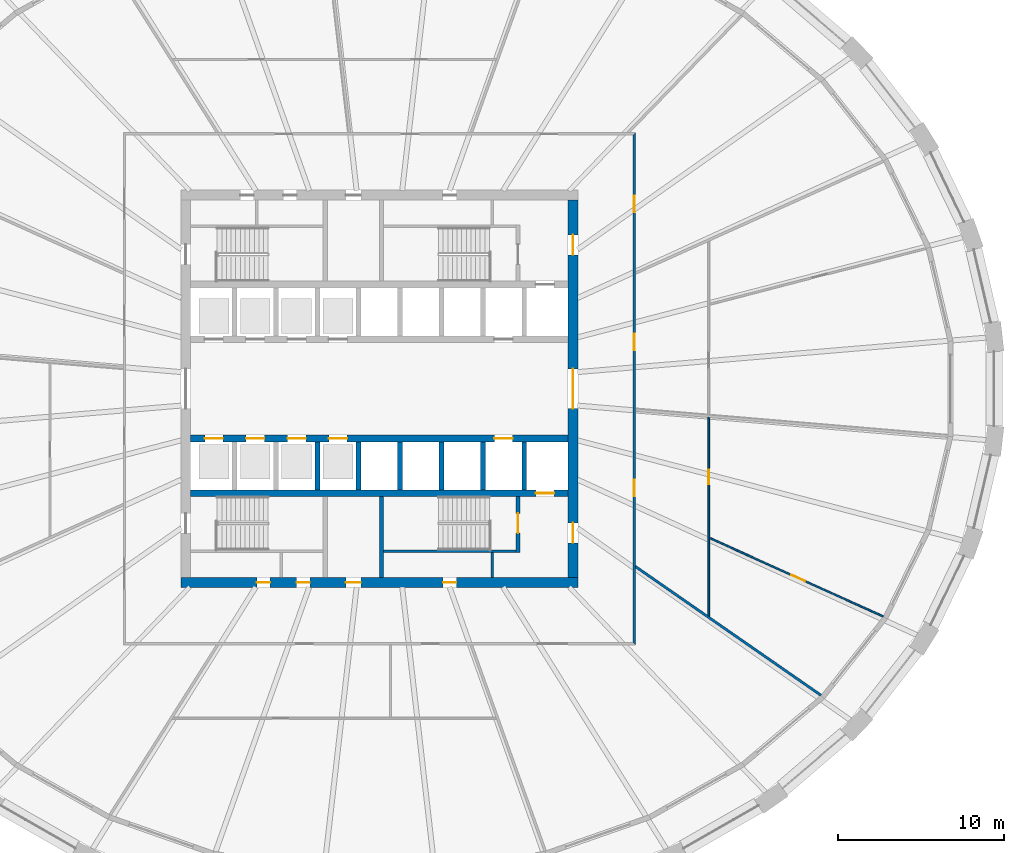
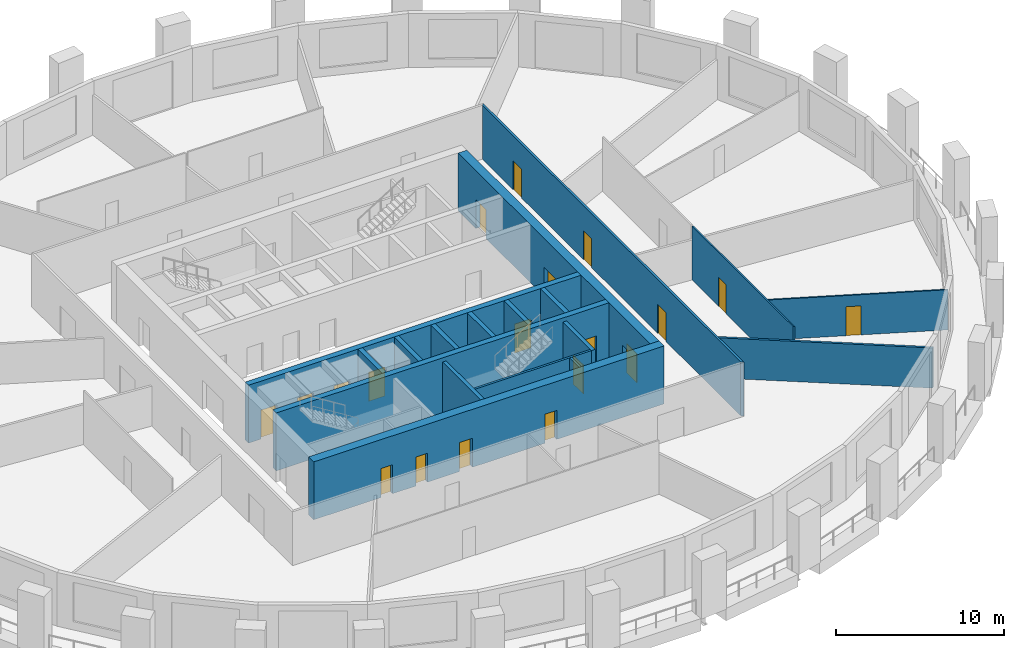
# One storey, part 4 of 10: 19 doors, 18 walls, 19 openings.
"""IFC4 building model written with IfcOpenShell, lengths in metres."""

import ifcopenshell
import ifcopenshell.guid

model = None  # the IFC model being written
_history = None  # IfcOwnerHistory: only IFC2X3 demands one
_inside = {}  # id of a spatial element -> (the spatial element, [elements in it])
_under = {}  # id of a project, library or spatial element -> (it, [spatial elements below it])
_declared = {}  # id of a project -> (the project, [libraries it declares])
_typed = {}  # id of a type object -> (the type object, [elements of that type])
_made_of = {}  # id of a material, layer set ... -> (it, [elements and type objects made of it])


def new_model(schema):
    """Start an empty IFC model of exactly this schema.

    Asked for "IFC4X3", IfcOpenShell would pick the latest addendum, in which some entities
    have other attributes; the version numbers below select the first issue.
    IFC2X3 requires an IfcOwnerHistory on every rooted entity: one is made here for all.
    """
    global model, _history
    if schema == "IFC4X3":
        model = ifcopenshell.file(schema_version=(4, 3, 0, 0))
    else:
        model = ifcopenshell.file(schema=schema)
    _inside.clear()
    _under.clear()
    _declared.clear()
    _typed.clear()
    _made_of.clear()
    _history = None
    if model.schema == "IFC2X3":
        org = make("IfcOrganization", Name="unknown")
        user = make(
            "IfcPersonAndOrganization",
            ThePerson=make("IfcPerson", FamilyName="unknown"),
            TheOrganization=org,
        )
        app = make(
            "IfcApplication",
            ApplicationDeveloper=org,
            Version="unknown",
            ApplicationFullName="unknown",
            ApplicationIdentifier="unknown",
        )
        _history = make(
            "IfcOwnerHistory",
            OwningUser=user,
            OwningApplication=app,
            ChangeAction="ADDED",
            CreationDate=0,
        )
    return model


def make(cls, **values):
    """One entity of the class cls with the attributes given. An attribute that is None is left unset."""
    return model.create_entity(
        cls, **{name: value for name, value in values.items() if value is not None}
    )


def rooted(cls, **values):
    """An entity with a GlobalId (a new one), such as an element, a storey or a relation."""
    return make(cls, GlobalId=ifcopenshell.guid.new(), OwnerHistory=_history, **values)


def si_unit(unit_type, name, prefix=None):
    """IfcSIUnit, for example si_unit("LENGTHUNIT", "METRE", prefix="MILLI")."""
    return make("IfcSIUnit", UnitType=unit_type, Prefix=prefix, Name=name)


def assignment(units):
    """IfcUnitAssignment: the units of a project."""
    return None if units is None else make("IfcUnitAssignment", Units=units)


def point(xyz):
    """IfcCartesianPoint."""
    return None if xyz is None else make("IfcCartesianPoint", Coordinates=xyz)


def direction(xyz):
    """IfcDirection."""
    return None if xyz is None else make("IfcDirection", DirectionRatios=xyz)


def frame(location, z_axis=None, x_axis=None):
    """IfcAxis2Placement3D, a coordinate frame: its origin and axes. An axis left out is left unset."""
    return make(
        "IfcAxis2Placement3D",
        Location=point(location),
        Axis=direction(z_axis),
        RefDirection=direction(x_axis),
    )


def frame_2d(location, x_axis=None):
    """IfcAxis2Placement2D, a coordinate frame in the plane: its origin and x axis."""
    return make(
        "IfcAxis2Placement2D", Location=point(location), RefDirection=direction(x_axis)
    )


def origin():
    """The frame at (0, 0, 0) with its axes left unset."""
    return frame((0.0, 0.0, 0.0))


def place(relative_to, where):
    """IfcLocalPlacement: puts the frame where relative to a parent placement (None: the world)."""
    return make(
        "IfcLocalPlacement", PlacementRelTo=relative_to, RelativePlacement=where
    )


def context(
    kind, dimensions, precision=None, world=None, true_north=None, identifier=None
):
    """IfcGeometricRepresentationContext, for example the 3D "Model" context."""
    return make(
        "IfcGeometricRepresentationContext",
        ContextIdentifier=identifier,
        ContextType=kind,
        CoordinateSpaceDimension=dimensions,
        Precision=precision,
        WorldCoordinateSystem=world,
        TrueNorth=true_north,
    )


def subcontext(parent, identifier, kind, view, scale=None):
    """IfcGeometricRepresentationSubContext, for example "Body" below "Model"."""
    return make(
        "IfcGeometricRepresentationSubContext",
        ContextIdentifier=identifier,
        ContextType=kind,
        ParentContext=parent,
        TargetScale=scale,
        TargetView=view,
    )


def project(units=None, contexts=None):
    """IfcProject with its units and contexts."""
    return rooted(
        "IfcProject",
        Name="project",
        RepresentationContexts=contexts,
        UnitsInContext=assignment(units),
    )


def spatial(cls, under=None, at=None, **own):
    """A site, building, storey or space (cls), placed at a placement, below another one or the project."""
    s = rooted(cls, ObjectPlacement=at, **own)
    if under is not None:
        _under.setdefault(under.id(), (under, []))[1].append(s)
    return s


def polyline(points):
    """IfcPolyline through the points."""
    return make("IfcPolyline", Points=[point(p) for p in points])


def profile(cls, at=None, kind="AREA", **sizes):
    """A parametric profile (cls). Its sizes go by their IFC names, for example OverallWidth=200.0."""
    return make(cls, ProfileType=kind, Position=at, **sizes)


def rectangle(**sizes):
    """IfcRectangleProfileDef."""
    return profile("IfcRectangleProfileDef", **sizes)


def outline(outer, holes=None, kind="AREA"):
    """IfcArbitraryClosedProfileDef: a profile drawn as a closed curve; with holes, ...WithVoids."""
    if holes is None:
        return make("IfcArbitraryClosedProfileDef", ProfileType=kind, OuterCurve=outer)
    return make(
        "IfcArbitraryProfileDefWithVoids",
        ProfileType=kind,
        OuterCurve=outer,
        InnerCurves=holes,
    )


def extrude(swept, where, along, depth):
    """IfcExtrudedAreaSolid: the profile swept, set in the frame where, extruded along a direction by depth."""
    return make(
        "IfcExtrudedAreaSolid",
        SweptArea=swept,
        Position=where,
        ExtrudedDirection=direction(along),
        Depth=depth,
    )


def shape(context_of_items, identifier, shape_type, items):
    """IfcShapeRepresentation: the items that make up one representation, for example the "Body"."""
    return make(
        "IfcShapeRepresentation",
        ContextOfItems=context_of_items,
        RepresentationIdentifier=identifier,
        RepresentationType=shape_type,
        Items=items,
    )


def material(Name=None, Category=None):
    """IfcMaterial."""
    return make("IfcMaterial", Name=Name, Category=Category)


def layer(
    of_material, thickness, ventilated=None, Name=None, Category=None, Priority=None
):
    """IfcMaterialLayer: one layer of a wall or slab, of a material (None: an air gap)."""
    return make(
        "IfcMaterialLayer",
        Material=of_material,
        LayerThickness=thickness,
        IsVentilated=ventilated,
        Name=Name,
        Category=Category,
        Priority=Priority,
    )


def layer_set(layers, Name=None):
    """IfcMaterialLayerSet."""
    return make("IfcMaterialLayerSet", MaterialLayers=layers, LayerSetName=Name)


def made_of(thing, what):
    """Note that an element or type object is made of a material, layer set ...; save() writes the relation."""
    if what is not None:
        _made_of.setdefault(what.id(), (what, []))[1].append(thing)
    return thing


def type_object(cls, material=None, **own):
    """A type object (cls), such as IfcWallType, which elements share."""
    return made_of(rooted(cls, **own), material)


def element(
    cls,
    number,
    at=None,
    inside=None,
    cuts=None,
    type_object=None,
    material=None,
    context=None,
    identifier="Body",
    shape_type=None,
    held_by="IfcProductDefinitionShape",
    body=None,
    shapes=None,
    **own,
):
    """One element of the class cls, such as IfcWall. Its Tag is "e" and its number.

    at: its placement. inside: the storey or other place that contains it. cuts: it is an
    opening in that element (IfcRelVoidsElement). A single representation is given by context,
    identifier, shape_type and body (its items); several are given by shapes. held_by: the class
    of the entity that holds the representations. save() writes the other relations.
    """
    e = rooted(cls, Tag="e%d" % number, ObjectPlacement=at, **own)
    if body is not None:
        shapes = [shape(context, identifier, shape_type, body)]
    if shapes is not None:
        e.Representation = make(held_by, Representations=shapes)
    if inside is not None:
        _inside.setdefault(inside.id(), (inside, []))[1].append(e)
    if cuts is not None:
        rooted(
            "IfcRelVoidsElement", RelatingBuildingElement=cuts, RelatedOpeningElement=e
        )
    if type_object is not None:
        _typed.setdefault(type_object.id(), (type_object, []))[1].append(e)
    return made_of(e, material)


def fill(opening, filler):
    """IfcRelFillsElement: the door or window that sits in an opening."""
    return rooted(
        "IfcRelFillsElement",
        RelatingOpeningElement=opening,
        RelatedBuildingElement=filler,
    )


def aggregate(whole, parts):
    """IfcRelAggregates: a whole, such as a stair, and the parts it consists of."""
    return rooted("IfcRelAggregates", RelatingObject=whole, RelatedObjects=parts)


def save(model, path):
    """Write the relations noted so far, then the file.

    IfcRelAggregates (storeys below a building ...), IfcRelContainedInSpatialStructure (elements
    in a storey), IfcRelDefinesByType, IfcRelAssociatesMaterial and IfcRelDeclares: one each for
    every whole, place, type object, material and project.
    """
    for whole, parts in _under.values():
        aggregate(whole, parts)
    for where, things in _inside.values():
        rooted(
            "IfcRelContainedInSpatialStructure",
            RelatedElements=things,
            RelatingStructure=where,
        )
    for kind, things in _typed.values():
        rooted("IfcRelDefinesByType", RelatedObjects=things, RelatingType=kind)
    for what, things in _made_of.values():
        rooted("IfcRelAssociatesMaterial", RelatedObjects=things, RelatingMaterial=what)
    for by, libraries in _declared.values():
        rooted("IfcRelDeclares", RelatingContext=by, RelatedDefinitions=libraries)
    model.write(path)


model = new_model("IFC4")

# Units and contexts
model_context = context("Model", 3, precision=1e-05, world=origin(), true_north=direction((0.0, 1.0)))
body_context = subcontext(model_context, "Body", "Model", "MODEL_VIEW")
ifc_project = project(units=[si_unit("LENGTHUNIT", "METRE"), si_unit("AREAUNIT", "SQUARE_METRE"), si_unit("VOLUMEUNIT", "CUBIC_METRE"), si_unit("PLANEANGLEUNIT", "RADIAN"), si_unit("MASSUNIT", "GRAM", prefix="KILO")], contexts=[model_context])

# Site, building, storey
site_placement = place(None, origin())
site = spatial("IfcSite", under=ifc_project, at=site_placement, CompositionType="ELEMENT")
building_placement = place(site_placement, origin())
building = spatial("IfcBuilding", under=site, at=building_placement, Name="Halqa Exchange Tower", CompositionType="ELEMENT")
storey_placement = place(building_placement, frame((0.0, 0.0, 52.89990234375)))
storey = spatial("IfcBuildingStorey", under=building, at=storey_placement, Name="L11", CompositionType="ELEMENT", Elevation=52.89990234375)

# Wall, openings, doors
ifc_material_1 = material(Name="Fire-rated gypsum board")
ifc_layer_1 = layer(ifc_material_1, 0.14990234375)
ifc_layer_set_1 = layer_set([ifc_layer_1], Name="Fire-rated gypsum board")
wall_type_1 = type_object("IfcWallType", Name="Fire partition EI 60 150", PredefinedType="PARTITIONING", material=ifc_layer_set_1)
wall_1_placement = place(storey_placement, frame((15.39990234375, -15.47509765625, 0.0), z_axis=(0.0, 0.0, 1.0), x_axis=(0.0, 1.0, 0.0)))
wall_1 = element("IfcWall", 1, at=wall_1_placement, inside=storey, type_object=wall_type_1, Name="L11-PWL-018", PredefinedType="PARTITIONING", context=body_context, shape_type="SweptSolid", body=[
    extrude(outline(polyline([(0.000244140625, -0.074951171875), (1.9345703125, -0.074951171875), (3.868896484375, -0.074951171875), (5.80322265625, -0.074951171875), (7.73779296875, -0.074951171875), (9.672119140625, -0.074951171875), (11.6064453125, -0.074951171875), (13.540771484375, -0.074951171875), (15.47509765625, -0.074951171875), (17.409423828125, -0.074951171875), (19.34375, -0.074951171875), (21.278076171875, -0.074951171875), (23.21240234375, -0.074951171875), (25.14697265625, -0.074951171875), (27.081298828125, -0.074951171875), (29.015625, -0.074951171875), (30.949951171875, -0.074951171875), (30.800048828125, 0.074951171875), (28.884521484375, 0.074951171875), (26.96875, 0.074951171875), (25.05322265625, 0.074951171875), (23.1376953125, 0.074951171875), (21.221923828125, 0.074951171875), (19.306396484375, 0.074951171875), (17.390625, 0.074951171875), (15.47509765625, 0.074951171875), (13.5595703125, 0.074951171875), (11.643798828125, 0.074951171875), (9.728271484375, 0.074951171875), (7.8125, 0.074951171875), (5.89697265625, 0.074951171875), (3.9814453125, 0.074951171875), (2.065673828125, 0.074951171875), (0.150146484375, 0.074951171875), (0.000244140625, -0.074951171875)])), origin(), (0.0, 0.0, 1.0), 3.900146484375),
])
opening_1_placement = place(wall_1_placement, frame((8.989990234375, 0.0, 0.0)))
opening_1 = element("IfcOpeningElement", 2, at=opening_1_placement, cuts=wall_1, Name="Opening 03-10", PredefinedType="OPENING", context=body_context, shape_type="SweptSolid", body=[
    extrude(rectangle(XDim=1.0, YDim=2.10009765625, at=frame_2d((0.5, 1.050048828125))), frame((0.0, 0.0869140625, 0.0), z_axis=(0.0, -1.0, 0.0), x_axis=(1.0, 0.0, 0.0)), (0.0, 0.0, 1.0), 0.173828125),
])
opening_2_placement = place(wall_1_placement, frame((17.81494140625, 0.0, 0.0)))
opening_2 = element("IfcOpeningElement", 3, at=opening_2_placement, cuts=wall_1, Name="Opening 03-11", PredefinedType="OPENING", context=body_context, shape_type="SweptSolid", body=[
    extrude(rectangle(XDim=1.0, YDim=2.10009765625, at=frame_2d((0.5, 1.050048828125))), frame((0.0, 0.0869140625, 0.0), z_axis=(0.0, -1.0, 0.0), x_axis=(1.0, 0.0, 0.0)), (0.0, 0.0, 1.0), 0.173828125),
])
opening_3_placement = place(wall_1_placement, frame((26.155029296875, 0.0, 0.0)))
opening_3 = element("IfcOpeningElement", 4, at=opening_3_placement, cuts=wall_1, Name="Opening 03-12", PredefinedType="OPENING", context=body_context, shape_type="SweptSolid", body=[
    extrude(rectangle(XDim=1.0, YDim=2.10009765625, at=frame_2d((0.5, 1.050048828125))), frame((0.0, 0.0869140625, 0.0), z_axis=(0.0, -1.0, 0.0), x_axis=(1.0, 0.0, 0.0)), (0.0, 0.0, 1.0), 0.173828125),
])
ifc_material_2 = material(Name="Steel fire door leaf", Category="steel")
door_type_1 = type_object("IfcDoorType", Name="Fire door FD30S 1000 x 2100", OperationType="SINGLE_SWING_LEFT", PredefinedType="DOOR", material=ifc_material_2)
door_1_placement = place(opening_1_placement, frame((1.0, 0.0, 0.0), z_axis=(0.0, 0.0, 1.0), x_axis=(-1.0, 0.0, 0.0)))
door_1 = element("IfcDoor", 5, at=door_1_placement, inside=storey, type_object=door_type_1, Name="L11-IDR-010", OperationType="SINGLE_SWING_RIGHT", OverallHeight=2.10009765625, OverallWidth=1.0, PredefinedType="DOOR", context=body_context, shape_type="SweptSolid", body=[
    extrude(rectangle(XDim=1.0, YDim=2.10009765625, at=frame_2d((0.5, 1.050048828125))), frame((0.0, 0.02490234375, 0.0), z_axis=(0.0, -1.0, 0.0), x_axis=(1.0, 0.0, 0.0)), (0.0, 0.0, 1.0), 0.050048828125),
])
fill(opening_1, door_1)
door_2_placement = place(opening_2_placement, frame((1.0, 0.0, 0.0), z_axis=(0.0, 0.0, 1.0), x_axis=(-1.0, 0.0, 0.0)))
door_2 = element("IfcDoor", 6, at=door_2_placement, inside=storey, type_object=door_type_1, Name="L11-IDR-011", OperationType="SINGLE_SWING_RIGHT", OverallHeight=2.10009765625, OverallWidth=1.0, PredefinedType="DOOR", context=body_context, shape_type="SweptSolid", body=[
    extrude(rectangle(XDim=1.0, YDim=2.10009765625, at=frame_2d((0.5, 1.050048828125))), frame((0.0, 0.02490234375, 0.0), z_axis=(0.0, -1.0, 0.0), x_axis=(1.0, 0.0, 0.0)), (0.0, 0.0, 1.0), 0.050048828125),
])
fill(opening_2, door_2)
door_3_placement = place(opening_3_placement, frame((1.0, 0.0, 0.0), z_axis=(0.0, 0.0, 1.0), x_axis=(-1.0, 0.0, 0.0)))
door_3 = element("IfcDoor", 7, at=door_3_placement, inside=storey, type_object=door_type_1, Name="L11-IDR-012", OperationType="SINGLE_SWING_LEFT", OverallHeight=2.10009765625, OverallWidth=1.0, PredefinedType="DOOR", context=body_context, shape_type="SweptSolid", body=[
    extrude(rectangle(XDim=1.0, YDim=2.10009765625, at=frame_2d((0.5, 1.050048828125))), frame((0.0, 0.02490234375, 0.0), z_axis=(0.0, -1.0, 0.0), x_axis=(1.0, 0.0, 0.0)), (0.0, 0.0, 1.0), 0.050048828125),
])
fill(opening_3, door_3)

# Wall
wall_2_placement = place(storey_placement, frame((15.4326171875, -10.71240234375, 0.0), z_axis=(0.0, 0.0, 1.0), x_axis=(0.82159356676, -0.570073689148, 0.0)))
element("IfcWall", 8, at=wall_2_placement, inside=storey, type_object=wall_type_1, Name="L11-PWL-019", PredefinedType="PARTITIONING", context=body_context, shape_type="SweptSolid", body=[
    extrude(outline(polyline([(0.103515625, -0.074951171875), (2.04150390625, -0.074951171875), (3.9794921875, -0.074951171875), (5.917236328125, -0.074951171875), (7.855224609375, -0.074951171875), (9.793212890625, -0.074951171875), (11.731201171875, -0.074951171875), (13.6689453125, -0.074951171875), (13.689697265625, 0.001953125), (13.694091796875, 0.073974609375), (13.694091796875, 0.074951171875), (12.021484375, 0.074951171875), (10.348876953125, 0.074951171875), (8.67626953125, 0.074951171875), (7.003662109375, 0.074951171875), (5.331298828125, 0.074951171875), (5.32666015625, 0.07177734375), (5.32470703125, 0.074951171875), (3.5498046875, 0.074951171875), (1.77490234375, 0.074951171875), (0.0, 0.074951171875), (0.0, 0.074462890625), (0.103515625, -0.074951171875)])), origin(), (0.0, 0.0, 1.0), 2.91015625),
])

# Wall, opening, door
ifc_material_3 = material(Name="Gypsum board")
ifc_layer_2 = layer(ifc_material_3, 0.10009765625)
ifc_layer_set_2 = layer_set([ifc_layer_2], Name="Gypsum board")
wall_type_2 = type_object("IfcWallType", Name="Partition 100 gypsum", PredefinedType="PARTITIONING", material=ifc_layer_set_2)
wall_3_placement = place(storey_placement, frame((19.89990234375, -13.755615234375, 0.0), z_axis=(0.0, 0.0, 1.0), x_axis=(0.0, 1.0, 0.0)))
wall_3 = element("IfcWall", 9, at=wall_3_placement, inside=storey, type_object=wall_type_2, Name="L11-PWL-022", PredefinedType="PARTITIONING", context=body_context, shape_type="SweptSolid", body=[
    extrude(outline(polyline([(0.0, -0.050048828125), (1.562744140625, -0.050048828125), (3.12548828125, -0.050048828125), (4.688232421875, -0.050048828125), (4.689208984375, -0.0478515625), (4.69384765625, -0.050048828125), (6.525390625, -0.050048828125), (8.35693359375, -0.050048828125), (10.188232421875, -0.050048828125), (12.019775390625, -0.050048828125), (12.028076171875, 0.049072265625), (12.028076171875, 0.050048828125), (10.034912109375, 0.050048828125), (8.041748046875, 0.050048828125), (6.048828125, 0.050048828125), (4.0556640625, 0.050048828125), (2.0625, 0.050048828125), (0.0693359375, 0.050048828125), (0.0, -0.050048828125), (0.0, -0.050048828125)])), origin(), (0.0, 0.0, 1.0), 3.900146484375),
])
opening_4_placement = place(wall_3_placement, frame((7.98046875, 0.0, 0.0)))
opening_4 = element("IfcOpeningElement", 10, at=opening_4_placement, cuts=wall_3, Name="Opening 03-18", PredefinedType="OPENING", context=body_context, shape_type="SweptSolid", body=[
    extrude(rectangle(XDim=0.89990234375, YDim=2.10009765625, at=frame_2d((0.449951171875, 1.050048828125))), frame((0.0, 0.06201171875, 0.0), z_axis=(0.0, -1.0, 0.0), x_axis=(1.0, 0.0, 0.0)), (0.0, 0.0, 1.0), 0.1240234375),
])
ifc_material_4 = material(Name="Timber door leaf", Category="wood")
door_type_2 = type_object("IfcDoorType", Name="Door 900 x 2100", OperationType="SINGLE_SWING_LEFT", PredefinedType="DOOR", material=ifc_material_4)
door_4_placement = place(opening_4_placement, origin())
door_4 = element("IfcDoor", 11, at=door_4_placement, inside=storey, type_object=door_type_2, Name="L11-IDR-018", OperationType="SINGLE_SWING_LEFT", OverallHeight=2.10009765625, OverallWidth=0.89990234375, PredefinedType="DOOR", context=body_context, shape_type="SweptSolid", body=[
    extrude(rectangle(XDim=0.89990234375, YDim=2.10009765625, at=frame_2d((0.449951171875, 1.050048828125))), frame((0.0, 0.02490234375, 0.0), z_axis=(0.0, -1.0, 0.0), x_axis=(1.0, 0.0, 0.0)), (0.0, 0.0, 1.0), 0.050048828125),
])
fill(opening_4, door_4)

wall_4_placement = place(storey_placement, frame((19.9296875, -9.00341796875, 0.0), z_axis=(0.0, 0.0, 1.0), x_axis=(0.911257901719, -0.41183617684, 0.0)))
wall_4 = element("IfcWall", 12, at=wall_4_placement, inside=storey, type_object=wall_type_2, Name="L11-PWL-023", PredefinedType="PARTITIONING", context=body_context, shape_type="SweptSolid", body=[
    extrude(outline(polyline([(0.044921875, -0.050048828125), (1.9580078125, -0.050048828125), (3.871337890625, -0.050048828125), (5.78466796875, -0.050048828125), (7.69775390625, -0.050048828125), (9.611083984375, -0.050048828125), (11.524169921875, -0.050048828125), (11.535888671875, -0.003662109375), (11.537353515625, 0.0478515625), (11.537353515625, 0.050048828125), (9.614501953125, 0.050048828125), (7.691650390625, 0.050048828125), (5.7685546875, 0.050048828125), (3.845703125, 0.050048828125), (1.9228515625, 0.050048828125), (0.0, 0.050048828125), (0.0, 0.04931640625), (0.044921875, -0.050048828125)])), origin(), (0.0, 0.0, 1.0), 2.91015625),
])
opening_5_placement = place(wall_4_placement, frame((5.454345703125, 0.0, 0.0)))
opening_5 = element("IfcOpeningElement", 13, at=opening_5_placement, cuts=wall_4, Name="Opening 03-19", PredefinedType="OPENING", context=body_context, shape_type="SweptSolid", body=[
    extrude(rectangle(XDim=0.89990234375, YDim=2.10009765625, at=frame_2d((0.449951171875, 1.050048828125))), frame((0.0, 0.06201171875, 0.0), z_axis=(0.0, -1.0, 0.0), x_axis=(1.0, 0.0, 0.0)), (0.0, 0.0, 1.0), 0.1240234375),
])
door_5_placement = place(opening_5_placement, frame((0.89990234375, 0.0, 0.0), z_axis=(0.0, 0.0, 1.0), x_axis=(-1.0, 0.0, 0.0)))
door_5 = element("IfcDoor", 14, at=door_5_placement, inside=storey, type_object=door_type_2, Name="L11-IDR-019", OperationType="SINGLE_SWING_RIGHT", OverallHeight=2.10009765625, OverallWidth=0.89990234375, PredefinedType="DOOR", context=body_context, shape_type="SweptSolid", body=[
    extrude(rectangle(XDim=0.89990234375, YDim=2.10009765625, at=frame_2d((0.449951171875, 1.050048828125))), frame((0.0, 0.02490234375, 0.0), z_axis=(0.0, -1.0, 0.0), x_axis=(1.0, 0.0, 0.0)), (0.0, 0.0, 1.0), 0.050048828125),
])
fill(opening_5, door_5)

# Walls
ifc_layer_3 = layer(ifc_material_3, 0.14990234375)
ifc_layer_set_3 = layer_set([ifc_layer_3], Name="Gypsum board")
wall_type_3 = type_object("IfcWallType", Name="Penthouse riser wall 150 gypsum", PredefinedType="PARTITIONING", material=ifc_layer_set_3)
wall_5_placement = place(storey_placement, frame((6.824951171875, -11.39990234375, 0.0), z_axis=(0.0, 0.0, 1.0), x_axis=(0.0, 1.0, 0.0)))
element("IfcWall", 15, at=wall_5_placement, inside=storey, type_object=wall_type_3, Name="Firefighting lobby west wall S", PredefinedType="PARTITIONING", context=body_context, shape_type="SweptSolid", body=[
    extrude(rectangle(XDim=1.5, YDim=0.14990234375, at=frame_2d((0.75, 0.0))), origin(), (0.0, 0.0, 1.0), 3.900146484375),
])
ifc_material_5 = material(Name="Concrete C60/75", Category="concrete")
ifc_layer_4 = layer(ifc_material_5, 0.300048828125)
ifc_layer_set_4 = layer_set([ifc_layer_4], Name="Concrete C60/75")
wall_type_4 = type_object("IfcWallType", Name="RC core wall 300", PredefinedType="SHEAR", material=ifc_layer_set_4)
for number, where, z_axis, x_axis, name in (
    (16, (-3.75, -6.10009765625, 0.0), (0.0, 0.0, 1.0), (0.0, 1.0, 0.0), "Shaft divider S3"),
    (17, (-1.25, -6.10009765625, 0.0), (0.0, 0.0, 1.0), (0.0, 1.0, 0.0), "Shaft divider S4"),
    (18, (1.25, -6.10009765625, 0.0), (0.0, 0.0, 1.0), (0.0, 1.0, 0.0), "Shaft divider S5"),
    (19, (3.75, -6.10009765625, 0.0), (0.0, 0.0, 1.0), (0.0, 1.0, 0.0), "Shaft divider S6"),
    (20, (6.25, -6.10009765625, 0.0), (0.0, 0.0, 1.0), (0.0, 1.0, 0.0), "Shaft divider S7"),
    (21, (8.75, -6.10009765625, 0.0), (0.0, 0.0, 1.0), (0.0, 1.0, 0.0), "Shaft divider S8"),
):
    element("IfcWall", number, at=place(storey_placement, frame(where, z_axis=z_axis, x_axis=x_axis)), inside=storey, type_object=wall_type_4, Name=name, PredefinedType="SHEAR", context=body_context, shape_type="SweptSolid", body=[
        extrude(rectangle(XDim=2.900146484375, YDim=0.300048828125, at=frame_2d((1.4501953125, 0.0))), origin(), (0.0, 0.0, 1.0), 4.2001953125),
    ])

# Wall, openings, doors
ifc_material_6 = material(Name="Concrete C80/95", Category="concrete")
ifc_layer_5 = layer(ifc_material_6, 0.39990234375)
ifc_layer_set_5 = layer_set([ifc_layer_5], Name="Concrete C80/95")
wall_type_5 = type_object("IfcWallType", Name="RC core wall 400 C80/95", PredefinedType="SHEAR", material=ifc_layer_set_5)
wall_6_placement = place(storey_placement, frame((-11.39990234375, -3.0, 0.0), z_axis=(0.0, 0.0, 1.0), x_axis=(1.0, 0.0, 0.0)))
wall_6 = element("IfcWall", 22, at=wall_6_placement, inside=storey, type_object=wall_type_5, Name="Lift row front wall S", PredefinedType="SHEAR", context=body_context, shape_type="SweptSolid", body=[
    extrude(rectangle(XDim=22.7998046875, YDim=0.39990234375, at=frame_2d((11.39990234375, 0.0))), origin(), (0.0, 0.0, 1.0), 4.2001953125),
])
opening_6_placement = place(wall_6_placement, frame((0.85009765625, 0.0, 0.0)))
opening_6 = element("IfcOpeningElement", 23, at=opening_6_placement, cuts=wall_6, Name="Opening LD-LR5-T03", PredefinedType="OPENING", context=body_context, shape_type="SweptSolid", body=[
    extrude(rectangle(XDim=1.10009765625, YDim=2.10009765625, at=frame_2d((0.550048828125, 1.050048828125))), frame((0.0, 0.2119140625, 0.0), z_axis=(0.0, -1.0, 0.0), x_axis=(1.0, 0.0, 0.0)), (0.0, 0.0, 1.0), 0.423828125),
])
opening_7_placement = place(wall_6_placement, frame((3.35009765625, 0.0, 0.0)))
opening_7 = element("IfcOpeningElement", 24, at=opening_7_placement, cuts=wall_6, Name="Opening LD-LR6-T03", PredefinedType="OPENING", context=body_context, shape_type="SweptSolid", body=[
    extrude(rectangle(XDim=1.10009765625, YDim=2.10009765625, at=frame_2d((0.550048828125, 1.050048828125))), frame((0.0, 0.2119140625, 0.0), z_axis=(0.0, -1.0, 0.0), x_axis=(1.0, 0.0, 0.0)), (0.0, 0.0, 1.0), 0.423828125),
])
opening_8_placement = place(wall_6_placement, frame((5.85009765625, 0.0, 0.0)))
opening_8 = element("IfcOpeningElement", 25, at=opening_8_placement, cuts=wall_6, Name="Opening LD-LR7-T03", PredefinedType="OPENING", context=body_context, shape_type="SweptSolid", body=[
    extrude(rectangle(XDim=1.10009765625, YDim=2.10009765625, at=frame_2d((0.550048828125, 1.050048828125))), frame((0.0, 0.2119140625, 0.0), z_axis=(0.0, -1.0, 0.0), x_axis=(1.0, 0.0, 0.0)), (0.0, 0.0, 1.0), 0.423828125),
])
opening_9_placement = place(wall_6_placement, frame((8.35009765625, 0.0, 0.0)))
opening_9 = element("IfcOpeningElement", 26, at=opening_9_placement, cuts=wall_6, Name="Opening LD-LR8-T03", PredefinedType="OPENING", context=body_context, shape_type="SweptSolid", body=[
    extrude(rectangle(XDim=1.10009765625, YDim=2.10009765625, at=frame_2d((0.550048828125, 1.050048828125))), frame((0.0, 0.2119140625, 0.0), z_axis=(0.0, -1.0, 0.0), x_axis=(1.0, 0.0, 0.0)), (0.0, 0.0, 1.0), 0.423828125),
])
opening_10_placement = place(wall_6_placement, frame((18.35009765625, 0.0, 0.0)))
opening_10 = element("IfcOpeningElement", 27, at=opening_10_placement, cuts=wall_6, Name="Opening LD-SV2-T03", PredefinedType="OPENING", context=body_context, shape_type="SweptSolid", body=[
    extrude(rectangle(XDim=1.10009765625, YDim=2.10009765625, at=frame_2d((0.550048828125, 1.050048828125))), frame((0.0, 0.2119140625, 0.0), z_axis=(0.0, -1.0, 0.0), x_axis=(1.0, 0.0, 0.0)), (0.0, 0.0, 1.0), 0.423828125),
])
ifc_material_7 = material(Name="Stainless steel", Category="steel")
door_type_3 = type_object("IfcDoorType", Name="Lift landing door 1100 x 2100", OperationType="SLIDING_TO_LEFT", PredefinedType="DOOR", material=ifc_material_7)
door_6_placement = place(opening_6_placement, origin())
door_6 = element("IfcDoor", 28, at=door_6_placement, inside=storey, type_object=door_type_3, Name="Lift landing door LR5", OperationType="SLIDING_TO_LEFT", OverallHeight=2.10009765625, OverallWidth=1.10009765625, PredefinedType="DOOR", context=body_context, shape_type="SweptSolid", body=[
    extrude(rectangle(XDim=1.10009765625, YDim=2.10009765625, at=frame_2d((0.550048828125, 1.050048828125))), frame((0.0, 0.02490234375, 0.0), z_axis=(0.0, -1.0, 0.0), x_axis=(1.0, 0.0, 0.0)), (0.0, 0.0, 1.0), 0.050048828125),
])
fill(opening_6, door_6)
door_7_placement = place(opening_7_placement, origin())
door_7 = element("IfcDoor", 29, at=door_7_placement, inside=storey, type_object=door_type_3, Name="Lift landing door LR6", OperationType="SLIDING_TO_LEFT", OverallHeight=2.10009765625, OverallWidth=1.10009765625, PredefinedType="DOOR", context=body_context, shape_type="SweptSolid", body=[
    extrude(rectangle(XDim=1.10009765625, YDim=2.10009765625, at=frame_2d((0.550048828125, 1.050048828125))), frame((0.0, 0.02490234375, 0.0), z_axis=(0.0, -1.0, 0.0), x_axis=(1.0, 0.0, 0.0)), (0.0, 0.0, 1.0), 0.050048828125),
])
fill(opening_7, door_7)
door_8_placement = place(opening_8_placement, origin())
door_8 = element("IfcDoor", 30, at=door_8_placement, inside=storey, type_object=door_type_3, Name="Lift landing door LR7", OperationType="SLIDING_TO_LEFT", OverallHeight=2.10009765625, OverallWidth=1.10009765625, PredefinedType="DOOR", context=body_context, shape_type="SweptSolid", body=[
    extrude(rectangle(XDim=1.10009765625, YDim=2.10009765625, at=frame_2d((0.550048828125, 1.050048828125))), frame((0.0, 0.02490234375, 0.0), z_axis=(0.0, -1.0, 0.0), x_axis=(1.0, 0.0, 0.0)), (0.0, 0.0, 1.0), 0.050048828125),
])
fill(opening_8, door_8)
door_9_placement = place(opening_9_placement, origin())
door_9 = element("IfcDoor", 31, at=door_9_placement, inside=storey, type_object=door_type_3, Name="Lift landing door LR8", OperationType="SLIDING_TO_LEFT", OverallHeight=2.10009765625, OverallWidth=1.10009765625, PredefinedType="DOOR", context=body_context, shape_type="SweptSolid", body=[
    extrude(rectangle(XDim=1.10009765625, YDim=2.10009765625, at=frame_2d((0.550048828125, 1.050048828125))), frame((0.0, 0.02490234375, 0.0), z_axis=(0.0, -1.0, 0.0), x_axis=(1.0, 0.0, 0.0)), (0.0, 0.0, 1.0), 0.050048828125),
])
fill(opening_9, door_9)
door_10_placement = place(opening_10_placement, origin())
door_10 = element("IfcDoor", 32, at=door_10_placement, inside=storey, type_object=door_type_3, Name="Lift landing door SV2", OperationType="SLIDING_TO_LEFT", OverallHeight=2.10009765625, OverallWidth=1.10009765625, PredefinedType="DOOR", context=body_context, shape_type="SweptSolid", body=[
    extrude(rectangle(XDim=1.10009765625, YDim=2.10009765625, at=frame_2d((0.550048828125, 1.050048828125))), frame((0.0, 0.02490234375, 0.0), z_axis=(0.0, -1.0, 0.0), x_axis=(1.0, 0.0, 0.0)), (0.0, 0.0, 1.0), 0.050048828125),
])
fill(opening_10, door_10)

# Wall, opening, door
wall_7_placement = place(storey_placement, frame((-11.39990234375, -6.300048828125, 0.0), z_axis=(0.0, 0.0, 1.0), x_axis=(1.0, 0.0, 0.0)))
wall_7 = element("IfcWall", 33, at=wall_7_placement, inside=storey, type_object=wall_type_5, Name="Lift row back wall S", PredefinedType="SHEAR", context=body_context, shape_type="SweptSolid", body=[
    extrude(rectangle(XDim=22.7998046875, YDim=0.39990234375, at=frame_2d((11.39990234375, 0.0))), origin(), (0.0, 0.0, 1.0), 4.2001953125),
])
opening_11_placement = place(wall_7_placement, frame((20.85009765625, 0.0, 0.0)))
opening_11 = element("IfcOpeningElement", 34, at=opening_11_placement, cuts=wall_7, Name="Opening LD-FF2-T03", PredefinedType="OPENING", context=body_context, shape_type="SweptSolid", body=[
    extrude(rectangle(XDim=1.10009765625, YDim=2.10009765625, at=frame_2d((0.550048828125, 1.050048828125))), frame((0.0, 0.2119140625, 0.0), z_axis=(0.0, -1.0, 0.0), x_axis=(1.0, 0.0, 0.0)), (0.0, 0.0, 1.0), 0.423828125),
])
door_11_placement = place(opening_11_placement, origin())
door_11 = element("IfcDoor", 35, at=door_11_placement, inside=storey, type_object=door_type_3, Name="Lift landing door FF2", OperationType="SLIDING_TO_LEFT", OverallHeight=2.10009765625, OverallWidth=1.10009765625, PredefinedType="DOOR", context=body_context, shape_type="SweptSolid", body=[
    extrude(rectangle(XDim=1.10009765625, YDim=2.10009765625, at=frame_2d((0.550048828125, 1.050048828125))), frame((0.0, 0.02490234375, 0.0), z_axis=(0.0, -1.0, 0.0), x_axis=(1.0, 0.0, 0.0)), (0.0, 0.0, 1.0), 0.050048828125),
])
fill(opening_11, door_11)

# Wall, openings, doors
ifc_layer_6 = layer(ifc_material_6, 0.60009765625)
ifc_layer_set_6 = layer_set([ifc_layer_6], Name="Concrete C80/95")
wall_type_6 = type_object("IfcWallType", Name="RC core wall 600 C80/95", PredefinedType="SHEAR", material=ifc_layer_set_6)
wall_8_placement = place(storey_placement, frame((-12.0, -11.699951171875, 0.0), z_axis=(0.0, 0.0, 1.0), x_axis=(1.0, 0.0, 0.0)))
wall_8 = element("IfcWall", 36, at=wall_8_placement, inside=storey, type_object=wall_type_6, Name="Core wall south", PredefinedType="SHEAR", context=body_context, shape_type="SweptSolid", body=[
    extrude(rectangle(XDim=24.0, YDim=0.60009765625, at=frame_2d((12.0, 0.0))), origin(), (0.0, 0.0, 1.0), 4.2001953125),
])
opening_12_placement = place(wall_8_placement, frame((9.97509765625, 0.0, 0.0)))
opening_12 = element("IfcOpeningElement", 37, at=opening_12_placement, cuts=wall_8, Name="Opening T03-C25", PredefinedType="OPENING", context=body_context, shape_type="SweptSolid", body=[
    extrude(rectangle(XDim=0.89990234375, YDim=2.10009765625, at=frame_2d((0.449951171875, 1.050048828125))), frame((0.0, 0.31201171875, 0.0), z_axis=(0.0, -1.0, 0.0), x_axis=(1.0, 0.0, 0.0)), (0.0, 0.0, 1.0), 0.6240234375),
])
opening_13_placement = place(wall_8_placement, frame((4.60009765625, 0.0, 0.0)))
opening_13 = element("IfcOpeningElement", 38, at=opening_13_placement, cuts=wall_8, Name="Opening T03-C26", PredefinedType="OPENING", context=body_context, shape_type="SweptSolid", body=[
    extrude(rectangle(XDim=0.800048828125, YDim=2.10009765625, at=frame_2d((0.39990234375, 1.050048828125))), frame((0.0, 0.31201171875, 0.0), z_axis=(0.0, -1.0, 0.0), x_axis=(1.0, 0.0, 0.0)), (0.0, 0.0, 1.0), 0.6240234375),
])
opening_14_placement = place(wall_8_placement, frame((7.0, 0.0, 0.0)))
opening_14 = element("IfcOpeningElement", 39, at=opening_14_placement, cuts=wall_8, Name="Opening T03-C27", PredefinedType="OPENING", context=body_context, shape_type="SweptSolid", body=[
    extrude(rectangle(XDim=0.800048828125, YDim=2.10009765625, at=frame_2d((0.39990234375, 1.050048828125))), frame((0.0, 0.31201171875, 0.0), z_axis=(0.0, -1.0, 0.0), x_axis=(1.0, 0.0, 0.0)), (0.0, 0.0, 1.0), 0.6240234375),
])
opening_15_placement = place(wall_8_placement, frame((15.85009765625, 0.0, 0.0)))
opening_15 = element("IfcOpeningElement", 40, at=opening_15_placement, cuts=wall_8, Name="Opening T03-C28", PredefinedType="OPENING", context=body_context, shape_type="SweptSolid", body=[
    extrude(rectangle(XDim=0.800048828125, YDim=2.10009765625, at=frame_2d((0.39990234375, 1.050048828125))), frame((0.0, 0.31201171875, 0.0), z_axis=(0.0, -1.0, 0.0), x_axis=(1.0, 0.0, 0.0)), (0.0, 0.0, 1.0), 0.6240234375),
])
ifc_material_8 = material(Name="Timber fire door leaf", Category="wood")
door_type_4 = type_object("IfcDoorType", Name="Core room door FD30 900 x 2100", OperationType="SINGLE_SWING_LEFT", PredefinedType="DOOR", material=ifc_material_8)
door_12_placement = place(opening_12_placement, origin())
door_12 = element("IfcDoor", 41, at=door_12_placement, inside=storey, type_object=door_type_4, Name="Core room door", OperationType="SINGLE_SWING_LEFT", OverallHeight=2.10009765625, OverallWidth=0.89990234375, PredefinedType="DOOR", context=body_context, shape_type="SweptSolid", body=[
    extrude(rectangle(XDim=0.89990234375, YDim=2.10009765625, at=frame_2d((0.449951171875, 1.050048828125))), frame((0.0, 0.02490234375, 0.0), z_axis=(0.0, -1.0, 0.0), x_axis=(1.0, 0.0, 0.0)), (0.0, 0.0, 1.0), 0.050048828125),
])
fill(opening_12, door_12)
door_type_5 = type_object("IfcDoorType", Name="Riser door FD60 800 x 2100", OperationType="SINGLE_SWING_LEFT", PredefinedType="DOOR", material=ifc_material_2)
door_13_placement = place(opening_13_placement, origin())
door_13 = element("IfcDoor", 42, at=door_13_placement, inside=storey, type_object=door_type_5, Name="Core room door", OperationType="SINGLE_SWING_LEFT", OverallHeight=2.10009765625, OverallWidth=0.800048828125, PredefinedType="DOOR", context=body_context, shape_type="SweptSolid", body=[
    extrude(rectangle(XDim=0.800048828125, YDim=2.10009765625, at=frame_2d((0.39990234375, 1.050048828125))), frame((0.0, 0.02490234375, 0.0), z_axis=(0.0, -1.0, 0.0), x_axis=(1.0, 0.0, 0.0)), (0.0, 0.0, 1.0), 0.050048828125),
])
fill(opening_13, door_13)
door_14_placement = place(opening_14_placement, origin())
door_14 = element("IfcDoor", 43, at=door_14_placement, inside=storey, type_object=door_type_5, Name="Core room door", OperationType="SINGLE_SWING_LEFT", OverallHeight=2.10009765625, OverallWidth=0.800048828125, PredefinedType="DOOR", context=body_context, shape_type="SweptSolid", body=[
    extrude(rectangle(XDim=0.800048828125, YDim=2.10009765625, at=frame_2d((0.39990234375, 1.050048828125))), frame((0.0, 0.02490234375, 0.0), z_axis=(0.0, -1.0, 0.0), x_axis=(1.0, 0.0, 0.0)), (0.0, 0.0, 1.0), 0.050048828125),
])
fill(opening_14, door_14)
door_15_placement = place(opening_15_placement, origin())
door_15 = element("IfcDoor", 44, at=door_15_placement, inside=storey, type_object=door_type_5, Name="Core room door", OperationType="SINGLE_SWING_LEFT", OverallHeight=2.10009765625, OverallWidth=0.800048828125, PredefinedType="DOOR", context=body_context, shape_type="SweptSolid", body=[
    extrude(rectangle(XDim=0.800048828125, YDim=2.10009765625, at=frame_2d((0.39990234375, 1.050048828125))), frame((0.0, 0.02490234375, 0.0), z_axis=(0.0, -1.0, 0.0), x_axis=(1.0, 0.0, 0.0)), (0.0, 0.0, 1.0), 0.050048828125),
])
fill(opening_15, door_15)

wall_9_placement = place(storey_placement, frame((11.699951171875, -11.39990234375, 0.0), z_axis=(0.0, 0.0, 1.0), x_axis=(0.0, 1.0, 0.0)))
wall_9 = element("IfcWall", 45, at=wall_9_placement, inside=storey, type_object=wall_type_6, Name="Core wall east", PredefinedType="SHEAR", context=body_context, shape_type="SweptSolid", body=[
    extrude(rectangle(XDim=22.7998046875, YDim=0.60009765625, at=frame_2d((11.39990234375, 0.0))), origin(), (0.0, 0.0, 1.0), 4.2001953125),
])
opening_16_placement = place(wall_9_placement, frame((10.199951171875, 0.0, 0.0)))
opening_16 = element("IfcOpeningElement", 46, at=opening_16_placement, cuts=wall_9, Name="Opening T03-C14", PredefinedType="OPENING", context=body_context, shape_type="SweptSolid", body=[
    extrude(rectangle(XDim=2.39990234375, YDim=2.10009765625, at=frame_2d((1.199951171875, 1.050048828125))), frame((0.0, 0.31201171875, 0.0), z_axis=(0.0, -1.0, 0.0), x_axis=(1.0, 0.0, 0.0)), (0.0, 0.0, 1.0), 0.6240234375),
])
opening_17_placement = place(wall_9_placement, frame((19.5, 0.0, 0.0)))
opening_17 = element("IfcOpeningElement", 47, at=opening_17_placement, cuts=wall_9, Name="Opening T03-C19", PredefinedType="OPENING", context=body_context, shape_type="SweptSolid", body=[
    extrude(rectangle(XDim=1.199951171875, YDim=2.10009765625, at=frame_2d((0.60009765625, 1.050048828125))), frame((0.0, 0.31201171875, 0.0), z_axis=(0.0, -1.0, 0.0), x_axis=(1.0, 0.0, 0.0)), (0.0, 0.0, 1.0), 0.6240234375),
])
opening_18_placement = place(wall_9_placement, frame((2.10009765625, 0.0, 0.0)))
opening_18 = element("IfcOpeningElement", 48, at=opening_18_placement, cuts=wall_9, Name="Opening T03-C20", PredefinedType="OPENING", context=body_context, shape_type="SweptSolid", body=[
    extrude(rectangle(XDim=1.199951171875, YDim=2.10009765625, at=frame_2d((0.60009765625, 1.050048828125))), frame((0.0, 0.31201171875, 0.0), z_axis=(0.0, -1.0, 0.0), x_axis=(1.0, 0.0, 0.0)), (0.0, 0.0, 1.0), 0.6240234375),
])
door_type_6 = type_object("IfcDoorType", Name="Firefighting lobby door FD90 1200 x 2100", OperationType="SINGLE_SWING_RIGHT", PredefinedType="DOOR", material=ifc_material_2)
door_16_placement = place(opening_17_placement, origin())
door_16 = element("IfcDoor", 49, at=door_16_placement, inside=storey, type_object=door_type_6, Name="Firefighting lobby door", OperationType="SINGLE_SWING_RIGHT", OverallHeight=2.10009765625, OverallWidth=1.199951171875, PredefinedType="DOOR", context=body_context, shape_type="SweptSolid", body=[
    extrude(rectangle(XDim=1.199951171875, YDim=2.10009765625, at=frame_2d((0.60009765625, 1.050048828125))), frame((0.0, 0.02490234375, 0.0), z_axis=(0.0, -1.0, 0.0), x_axis=(1.0, 0.0, 0.0)), (0.0, 0.0, 1.0), 0.050048828125),
])
fill(opening_17, door_16)
door_17_placement = place(opening_18_placement, origin())
door_17 = element("IfcDoor", 50, at=door_17_placement, inside=storey, type_object=door_type_6, Name="Firefighting lobby door", OperationType="SINGLE_SWING_LEFT", OverallHeight=2.10009765625, OverallWidth=1.199951171875, PredefinedType="DOOR", context=body_context, shape_type="SweptSolid", body=[
    extrude(rectangle(XDim=1.199951171875, YDim=2.10009765625, at=frame_2d((0.60009765625, 1.050048828125))), frame((0.0, 0.02490234375, 0.0), z_axis=(0.0, -1.0, 0.0), x_axis=(1.0, 0.0, 0.0)), (0.0, 0.0, 1.0), 0.050048828125),
])
fill(opening_18, door_17)
door_type_7 = type_object("IfcDoorType", Name="Lobby double door FD60 2400 x 2100", OperationType="DOUBLE_DOOR_SINGLE_SWING", PredefinedType="DOOR", material=ifc_material_2)
door_18_placement = place(opening_16_placement, origin())
door_18 = element("IfcDoor", 51, at=door_18_placement, inside=storey, type_object=door_type_7, Name="Lift lobby double door", OperationType="DOUBLE_DOOR_SINGLE_SWING", OverallHeight=2.10009765625, OverallWidth=2.39990234375, PredefinedType="DOOR", context=body_context, shape_type="SweptSolid", body=[
    extrude(rectangle(XDim=2.39990234375, YDim=2.10009765625, at=frame_2d((1.199951171875, 1.050048828125))), frame((0.0, 0.02490234375, 0.0), z_axis=(0.0, -1.0, 0.0), x_axis=(1.0, 0.0, 0.0)), (0.0, 0.0, 1.0), 0.050048828125),
])
fill(opening_16, door_18)

# Walls
ifc_material_9 = material(Name="Concrete C30/37", Category="concrete")
ifc_layer_7 = layer(ifc_material_9, 0.14990234375)
ifc_layer_set_7 = layer_set([ifc_layer_7], Name="Concrete C30/37")
wall_type_7 = type_object("IfcWallType", Name="RC stair wall 150 C30/37", PredefinedType="SHEAR", material=ifc_layer_set_7)
wall_10_placement = place(storey_placement, frame((0.25, -9.824951171875, 0.0), z_axis=(0.0, 0.0, 1.0), x_axis=(1.0, 0.0, 0.0)))
element("IfcWall", 52, at=wall_10_placement, inside=storey, type_object=wall_type_7, Name="Stair ST2 north wall S", PredefinedType="SHEAR", context=body_context, shape_type="SweptSolid", body=[
    extrude(rectangle(XDim=8.0, YDim=0.14990234375, at=frame_2d((4.0, 0.0))), origin(), (0.0, 0.0, 1.0), 3.900146484375),
])
ifc_layer_8 = layer(ifc_material_9, 0.25)
ifc_layer_set_8 = layer_set([ifc_layer_8], Name="Concrete C30/37")
wall_type_8 = type_object("IfcWallType", Name="RC stair wall 250 C30/37", PredefinedType="SHEAR", material=ifc_layer_set_8)
wall_11_placement = place(storey_placement, frame((0.125, -11.39990234375, 0.0), z_axis=(0.0, 0.0, 1.0), x_axis=(0.0, 1.0, 0.0)))
element("IfcWall", 53, at=wall_11_placement, inside=storey, type_object=wall_type_8, Name="Stair ST2 west wall S", PredefinedType="SHEAR", context=body_context, shape_type="SweptSolid", body=[
    extrude(rectangle(XDim=4.89990234375, YDim=0.25, at=frame_2d((2.449951171875, 0.0))), origin(), (0.0, 0.0, 1.0), 3.900146484375),
])

# Wall, opening, door
wall_12_placement = place(storey_placement, frame((8.375, -9.89990234375, 0.0), z_axis=(0.0, 0.0, 1.0), x_axis=(0.0, 1.0, 0.0)))
wall_12 = element("IfcWall", 54, at=wall_12_placement, inside=storey, type_object=wall_type_8, Name="Stair ST2 east wall S", PredefinedType="SHEAR", context=body_context, shape_type="SweptSolid", body=[
    extrude(rectangle(XDim=3.39990234375, YDim=0.25, at=frame_2d((1.699951171875, 0.0))), origin(), (0.0, 0.0, 1.0), 3.900146484375),
])
opening_19_placement = place(wall_12_placement, frame((1.175048828125, 0.0, 0.0)))
opening_19 = element("IfcOpeningElement", 55, at=opening_19_placement, cuts=wall_12, Name="Opening T03-C18", PredefinedType="OPENING", context=body_context, shape_type="SweptSolid", body=[
    extrude(rectangle(XDim=1.199951171875, YDim=2.10009765625, at=frame_2d((0.60009765625, 1.050048828125))), frame((0.0, 0.136962890625, 0.0), z_axis=(0.0, -1.0, 0.0), x_axis=(1.0, 0.0, 0.0)), (0.0, 0.0, 1.0), 0.27392578125),
])
door_type_8 = type_object("IfcDoorType", Name="Stair door FD90 1200 x 2100", OperationType="SINGLE_SWING_LEFT", PredefinedType="DOOR", material=ifc_material_2)
door_19_placement = place(opening_19_placement, origin())
door_19 = element("IfcDoor", 56, at=door_19_placement, inside=storey, type_object=door_type_8, Name="Stair door ST4", OperationType="SINGLE_SWING_LEFT", OverallHeight=2.10009765625, OverallWidth=1.199951171875, PredefinedType="DOOR", context=body_context, shape_type="SweptSolid", body=[
    extrude(rectangle(XDim=1.199951171875, YDim=2.10009765625, at=frame_2d((0.60009765625, 1.050048828125))), frame((0.0, 0.02490234375, 0.0), z_axis=(0.0, -1.0, 0.0), x_axis=(1.0, 0.0, 0.0)), (0.0, 0.0, 1.0), 0.050048828125),
])
fill(opening_19, door_19)

save(model, "model.ifc")
